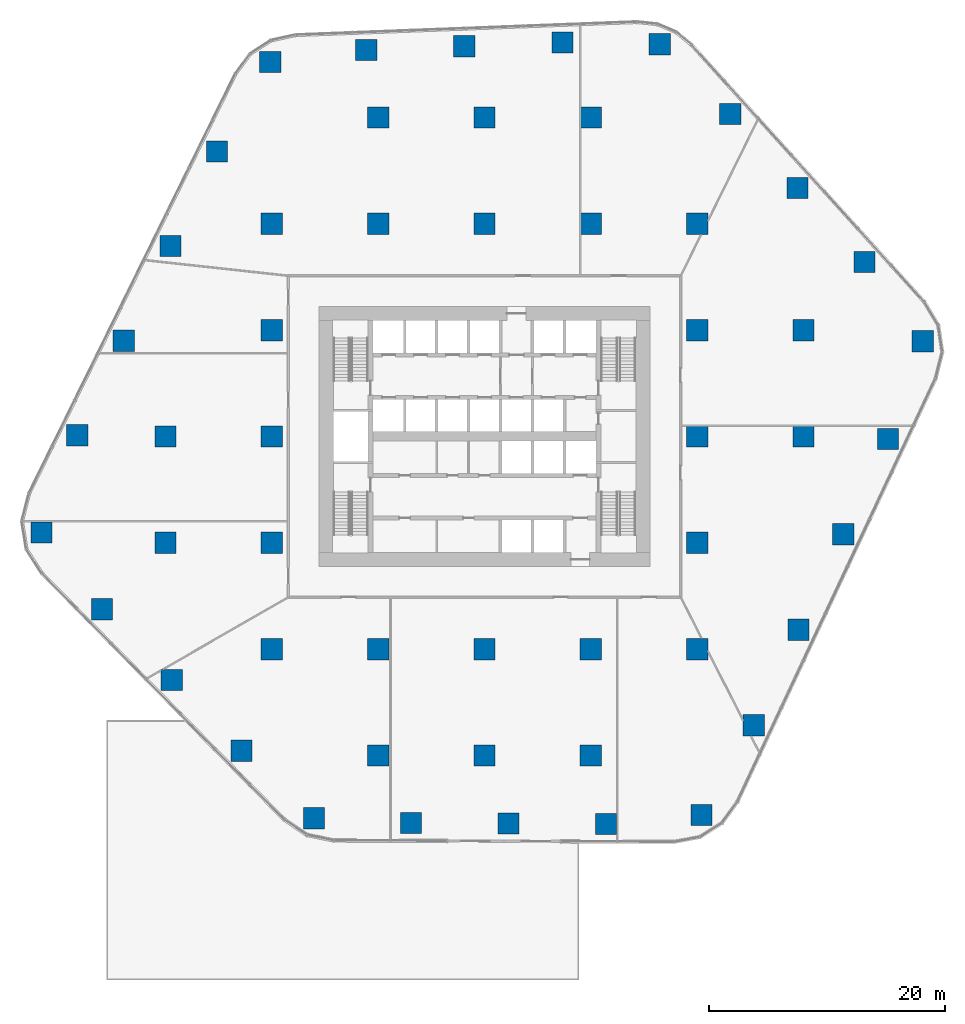
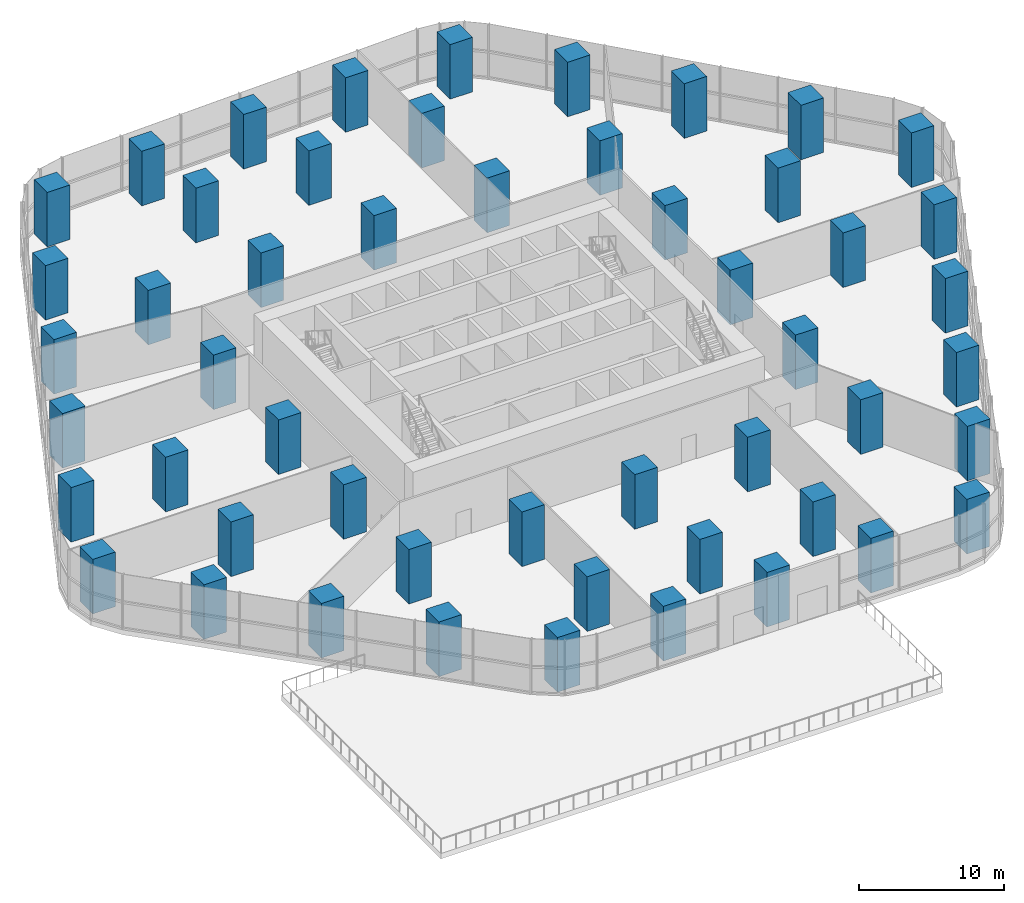
# One storey, part 1 of 15: 52 columns.
"""IFC4 building model written with IfcOpenShell, lengths in metres."""

from ifc_helpers import new_model, si_unit, direction, frame, origin, origin_2d, place, context, subcontext, project, spatial, rectangle, extrude, material, material_profile, profile_set, type_object, element, save


model = new_model("IFC4")

# Units and contexts
model_context = context("Model", 3, precision=1e-05, world=origin(), true_north=direction((0.0, 1.0)))
body_context = subcontext(model_context, "Body", "Model", "MODEL_VIEW")
ifc_project = project(units=[si_unit("LENGTHUNIT", "METRE"), si_unit("AREAUNIT", "SQUARE_METRE"), si_unit("VOLUMEUNIT", "CUBIC_METRE"), si_unit("PLANEANGLEUNIT", "RADIAN"), si_unit("MASSUNIT", "GRAM", prefix="KILO")], contexts=[model_context])

# Site, building, storey
site_placement = place(None, origin())
site = spatial("IfcSite", under=ifc_project, at=site_placement, CompositionType="ELEMENT")
building_placement = place(site_placement, origin())
building = spatial("IfcBuilding", under=site, at=building_placement, Name="Dongbaek Canopy Tower", CompositionType="ELEMENT")
storey_placement = place(building_placement, frame((0.0, 0.0, 33.0)))
storey = spatial("IfcBuildingStorey", under=building, at=storey_placement, Name="L04", CompositionType="ELEMENT", Elevation=33.0)

# Columns
ifc_material = material(Name="Concrete C80", Category="concrete")
ifc_material_profile = material_profile(ifc_material, rectangle(XDim=1.800048828125, YDim=1.800048828125, at=origin_2d()), Name="RC COLUMN 1800x1800 C80")
ifc_profile_set = profile_set([ifc_material_profile], Name="Concrete C80")
column_type = type_object("IfcColumnType", Name="RC COLUMN 1800x1800 C80", PredefinedType="COLUMN", material=ifc_profile_set)
for number, where, z_axis, x_axis, name in (
    (1, (18.367919921875, -32.04296875, 0.0), (0.0, 0.0, 1.0), (1.0, 0.0, 0.0), "COL:CP-01:L04"),
    (2, (10.277099609375, -32.7900390625, 0.0), (0.0, 0.0, 1.0), (1.0, 0.0, 0.0), "COL:CP-02:L04"),
    (3, (2.027099609375, -32.7529296875, 0.0), (0.0, 0.0, 1.0), (1.0, 0.0, 0.0), "COL:CP-03:L04"),
    (4, (-6.221923828125, -32.717041015625, 0.0), (0.0, 0.0, 1.0), (1.0, 0.0, 0.0), "COL:CP-04:L04"),
    (5, (-14.43408203125, -32.31298828125, 0.0), (0.0, 0.0, 1.0), (1.0, 0.0, 0.0), "COL:CP-05:L04"),
    (6, (-20.573974609375, -26.60205078125, 0.0), (0.0, 0.0, 1.0), (1.0, 0.0, 0.0), "COL:CP-06:L04"),
    (7, (-26.47802734375, -20.60791015625, 0.0), (0.0, 0.0, 1.0), (1.0, 0.0, 0.0), "COL:CP-07:L04"),
    (8, (-32.382080078125, -14.613037109375, 0.0), (0.0, 0.0, 1.0), (1.0, 0.0, 0.0), "COL:CP-08:L04"),
    (9, (-37.489013671875, -8.123046875, 0.0), (0.0, 0.0, 1.0), (1.0, 0.0, 0.0), "COL:CP-09:L04"),
    (10, (-34.462890625, 0.10302734375, 0.0), (0.0, 0.0, 1.0), (1.0, 0.0, 0.0), "COL:CP-10:L04"),
    (11, (-30.52490234375, 8.111083984375, 0.0), (0.0, 0.0, 1.0), (1.0, 0.0, 0.0), "COL:CP-11:L04"),
    (12, (-26.5859375, 16.117919921875, 0.0), (0.0, 0.0, 1.0), (1.0, 0.0, 0.0), "COL:CP-12:L04"),
    (13, (-22.64794921875, 24.125, 0.0), (0.0, 0.0, 1.0), (1.0, 0.0, 0.0), "COL:CP-13:L04"),
    (14, (-18.138916015625, 31.698974609375, 0.0), (0.0, 0.0, 1.0), (1.0, 0.0, 0.0), "COL:CP-14:L04"),
    (15, (-10.006103515625, 32.714111328125, 0.0), (0.0, 0.0, 1.0), (1.0, 0.0, 0.0), "COL:CP-15:L04"),
    (16, (-1.7080078125, 33.031982421875, 0.0), (0.0, 0.0, 1.0), (1.0, 0.0, 0.0), "COL:CP-16:L04"),
    (17, (6.589111328125, 33.34912109375, 0.0), (0.0, 0.0, 1.0), (1.0, 0.0, 0.0), "COL:CP-17:L04"),
    (18, (14.830078125, 33.194091796875, 0.0), (0.0, 0.0, 1.0), (1.0, 0.0, 0.0), "COL:CP-18:L04"),
    (19, (20.804931640625, 27.297119140625, 0.0), (0.0, 0.0, 1.0), (1.0, 0.0, 0.0), "COL:CP-19:L04"),
    (20, (26.48193359375, 21.029052734375, 0.0), (0.0, 0.0, 1.0), (1.0, 0.0, 0.0), "COL:CP-20:L04"),
    (21, (32.157958984375, 14.760986328125, 0.0), (0.0, 0.0, 1.0), (1.0, 0.0, 0.0), "COL:CP-21:L04"),
    (22, (37.097900390625, 8.06591796875, 0.0), (0.0, 0.0, 1.0), (1.0, 0.0, 0.0), "COL:CP-22:L04"),
    (23, (34.14306640625, -0.205078125, 0.0), (0.0, 0.0, 1.0), (1.0, 0.0, 0.0), "COL:CP-23:L04"),
    (24, (30.360107421875, -8.283935546875, 0.0), (0.0, 0.0, 1.0), (1.0, 0.0, 0.0), "COL:CP-24:L04"),
    (25, (26.575927734375, -16.364013671875, 0.0), (0.0, 0.0, 1.0), (1.0, 0.0, 0.0), "COL:CP-25:L04"),
    (26, (22.7919921875, -24.443115234375, 0.0), (0.0, 0.0, 1.0), (1.0, 0.0, 0.0), "COL:CP-26:L04"),
    (27, (-27.0, -9.0, 0.0), (0.0, 0.0, 1.0), (1.0, 0.0, 0.0), "COL:CIP-01:L04"),
    (28, (-27.0, 0.0, 0.0), (0.0, 0.0, 1.0), (1.0, 0.0, 0.0), "COL:CIP-02:L04"),
    (29, (-18.0, -18.0, 0.0), (0.0, 0.0, 1.0), (1.0, 0.0, 0.0), "COL:CIP-03:L04"),
    (30, (-18.0, -9.0, 0.0), (0.0, 0.0, 1.0), (1.0, 0.0, 0.0), "COL:CIP-04:L04"),
    (31, (-18.0, 0.0, 0.0), (0.0, 0.0, 1.0), (1.0, 0.0, 0.0), "COL:CIP-05:L04"),
    (32, (-18.0, 9.0, 0.0), (0.0, 0.0, 1.0), (1.0, 0.0, 0.0), "COL:CIP-06:L04"),
    (33, (-18.0, 18.0, 0.0), (0.0, 0.0, 1.0), (1.0, 0.0, 0.0), "COL:CIP-07:L04"),
    (34, (-9.0, -27.0, 0.0), (0.0, 0.0, 1.0), (1.0, 0.0, 0.0), "COL:CIP-08:L04"),
    (35, (-9.0, -18.0, 0.0), (0.0, 0.0, 1.0), (1.0, 0.0, 0.0), "COL:CIP-09:L04"),
    (36, (-9.0, 18.0, 0.0), (0.0, 0.0, 1.0), (1.0, 0.0, 0.0), "COL:CIP-10:L04"),
    (37, (-9.0, 27.0, 0.0), (0.0, 0.0, 1.0), (1.0, 0.0, 0.0), "COL:CIP-11:L04"),
    (38, (0.0, -27.0, 0.0), (0.0, 0.0, 1.0), (1.0, 0.0, 0.0), "COL:CIP-12:L04"),
    (39, (0.0, -18.0, 0.0), (0.0, 0.0, 1.0), (1.0, 0.0, 0.0), "COL:CIP-13:L04"),
    (40, (0.0, 18.0, 0.0), (0.0, 0.0, 1.0), (1.0, 0.0, 0.0), "COL:CIP-14:L04"),
    (41, (0.0, 27.0, 0.0), (0.0, 0.0, 1.0), (1.0, 0.0, 0.0), "COL:CIP-15:L04"),
    (42, (9.0, -27.0, 0.0), (0.0, 0.0, 1.0), (1.0, 0.0, 0.0), "COL:CIP-16:L04"),
    (43, (9.0, -18.0, 0.0), (0.0, 0.0, 1.0), (1.0, 0.0, 0.0), "COL:CIP-17:L04"),
    (44, (9.0, 18.0, 0.0), (0.0, 0.0, 1.0), (1.0, 0.0, 0.0), "COL:CIP-18:L04"),
    (45, (9.0, 27.0, 0.0), (0.0, 0.0, 1.0), (1.0, 0.0, 0.0), "COL:CIP-19:L04"),
    (46, (18.0, -18.0, 0.0), (0.0, 0.0, 1.0), (1.0, 0.0, 0.0), "COL:CIP-20:L04"),
    (47, (18.0, -9.0, 0.0), (0.0, 0.0, 1.0), (1.0, 0.0, 0.0), "COL:CIP-21:L04"),
    (48, (18.0, 0.0, 0.0), (0.0, 0.0, 1.0), (1.0, 0.0, 0.0), "COL:CIP-22:L04"),
    (49, (18.0, 9.0, 0.0), (0.0, 0.0, 1.0), (1.0, 0.0, 0.0), "COL:CIP-23:L04"),
    (50, (18.0, 18.0, 0.0), (0.0, 0.0, 1.0), (1.0, 0.0, 0.0), "COL:CIP-24:L04"),
    (51, (27.0, 0.0, 0.0), (0.0, 0.0, 1.0), (1.0, 0.0, 0.0), "COL:CIP-25:L04"),
    (52, (27.0, 9.0, 0.0), (0.0, 0.0, 1.0), (1.0, 0.0, 0.0), "COL:CIP-26:L04"),
):
    element("IfcColumn", number, at=place(storey_placement, frame(where, z_axis=z_axis, x_axis=x_axis)), inside=storey, type_object=column_type, Name=name, PredefinedType="COLUMN", context=body_context, shape_type="SweptSolid", body=[
        extrude(rectangle(XDim=1.800048828125, YDim=1.800048828125, at=origin_2d()), origin(), (0.0, 0.0, 1.0), 4.60009765625),
    ])

save(model, "model.ifc")
